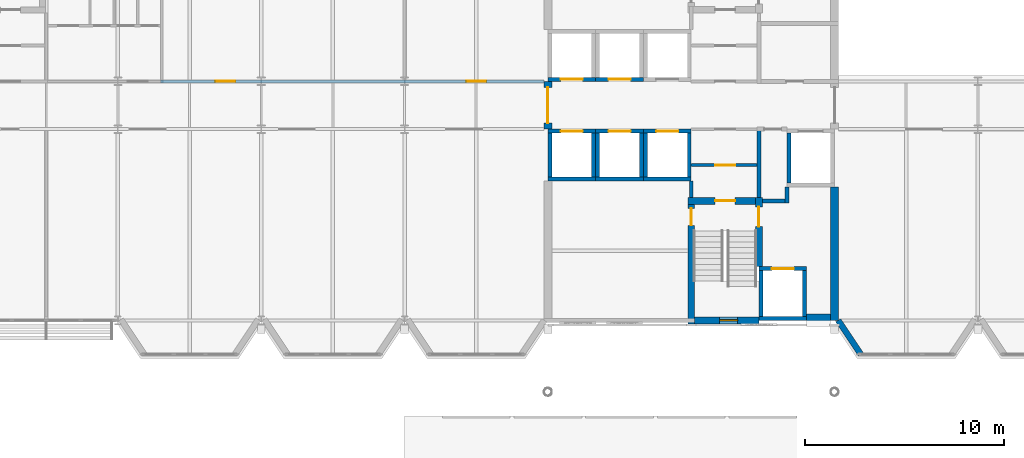
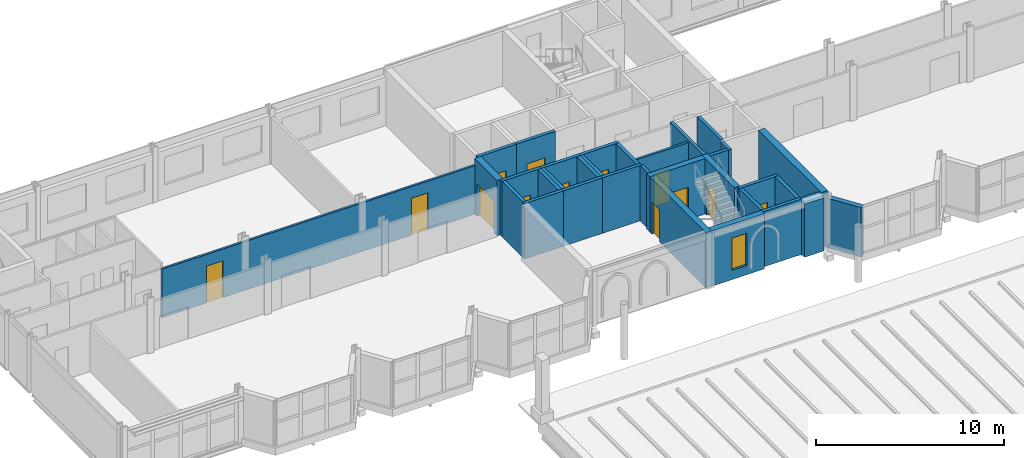
# One storey, part 62 of 120: 33 walls, 13 doors, 1 window, 14 openings.
"""IFC4 building model written with IfcOpenShell, lengths in metres."""

from ifc_helpers import new_model, si_unit, direction, frame, frame_2d, origin, place, context, subcontext, project, spatial, rectangle, extrude, material, layer, layer_set, type_object, element, fill, save


model = new_model("IFC4")

# Units and contexts
model_context = context("Model", 3, precision=1e-05, world=origin(), true_north=direction((0.0, 1.0)))
body_context = subcontext(model_context, "Body", "Model", "MODEL_VIEW")
ifc_project = project(units=[si_unit("LENGTHUNIT", "METRE"), si_unit("AREAUNIT", "SQUARE_METRE"), si_unit("VOLUMEUNIT", "CUBIC_METRE"), si_unit("PLANEANGLEUNIT", "RADIAN"), si_unit("MASSUNIT", "GRAM", prefix="KILO")], contexts=[model_context])

# Site, building, storey
site_placement = place(None, origin())
site = spatial("IfcSite", under=ifc_project, at=site_placement, CompositionType="ELEMENT")
building_placement = place(site_placement, origin())
building = spatial("IfcBuilding", under=site, at=building_placement, Name="Kupolbacken Congress Centre", CompositionType="ELEMENT")
storey_placement = place(building_placement, frame((0.0, 0.0, 21.60009765625)))
storey = spatial("IfcBuildingStorey", under=building, at=storey_placement, Name="L06", CompositionType="ELEMENT", Elevation=21.60009765625)

# Walls
ifc_material_1 = material(Name="Limestone", Category="masonry")
ifc_layer_1 = layer(ifc_material_1, 0.06005859375)
ifc_material_2 = material(Name="Air cavity", Category="air")
ifc_layer_2 = layer(ifc_material_2, 0.0400390625, ventilated=True)
ifc_material_3 = material(Name="Mineral wool", Category="insulation")
ifc_layer_3 = layer(ifc_material_3, 0.14990234375)
ifc_material_4 = material(Name="Steel studs", Category="metal")
ifc_layer_4 = layer(ifc_material_4, 0.050048828125)
ifc_layer_set_1 = layer_set([ifc_layer_1, ifc_layer_2, ifc_layer_3, ifc_layer_4], Name="Limestone / Mineral wool / Steel studs")
wall_type_1 = type_object("IfcWallType", Name="EW01 external cavity wall 300", PredefinedType="SOLIDWALL", material=ifc_layer_set_1)
wall_1_placement = place(storey_placement, frame((108.180419921875, 122.39990234375, 0.0), z_axis=(0.0, 0.0, 1.0), x_axis=(0.554618271946, -0.832104904699, 0.0)))
element("IfcWall", 1, at=wall_1_placement, inside=storey, type_object=wall_type_1, Name="E/T/cumba/L06/S/014/facW", PredefinedType="SOLIDWALL", context=body_context, shape_type="SweptSolid", body=[
    extrude(rectangle(XDim=2.063232421875, YDim=0.300048828125, at=frame_2d((1.03173828125, 0.0))), origin(), (0.0, 0.0, 1.0), 3.219970703125),
])
ifc_material_5 = material(Name="Concrete C40/50", Category="concrete")
ifc_layer_5 = layer(ifc_material_5, 0.35009765625)
ifc_layer_6 = layer(ifc_material_3, 0.1220703125)
ifc_layer_7 = layer(ifc_material_2, 0.0400390625, ventilated=True)
ifc_material_6 = material(Name="Brick", Category="masonry")
ifc_layer_8 = layer(ifc_material_6, 0.10791015625)
ifc_layer_set_2 = layer_set([ifc_layer_5, ifc_layer_6, ifc_layer_7, ifc_layer_8], Name="Concrete C40/50 / Mineral wool / Brick")
wall_type_2 = type_object("IfcWallType", Name="EW10 external cavity wall 620", PredefinedType="SOLIDWALL", material=ifc_layer_set_2)
wall_2_placement = place(storey_placement, frame((106.60009765625, 122.39990234375, 0.0), z_axis=(0.0, 0.0, 1.0), x_axis=(1.0, 0.0, 0.0)))
element("IfcWall", 2, at=wall_2_placement, inside=storey, type_object=wall_type_2, Name="E/T/S/L06/094", PredefinedType="SOLIDWALL", context=body_context, shape_type="SweptSolid", body=[
    extrude(rectangle(XDim=1.199951171875, YDim=0.6201171875, at=frame_2d((0.60009765625, 0.0))), origin(), (0.0, 0.0, 1.0), 3.4599609375),
])

# Wall, openings, doors
ifc_material_7 = material(Name="Gypsum board", Category="drywall")
ifc_layer_9 = layer(ifc_material_7, 0.135009765625)
ifc_layer_set_3 = layer_set([ifc_layer_9], Name="Gypsum board")
wall_type_3 = type_object("IfcWallType", Name="P06 compartment wall 135", PredefinedType="PARTITIONING", material=ifc_layer_set_3)
wall_3_placement = place(storey_placement, frame((74.142578125, 134.39990234375, 0.0), z_axis=(0.0, 0.0, 1.0), x_axis=(1.0, 0.0, 0.0)))
wall_3 = element("IfcWall", 3, at=wall_3_placement, inside=storey, type_object=wall_type_3, Name="T/wall/L06/x/13440/7420", PredefinedType="PARTITIONING", context=body_context, shape_type="SweptSolid", body=[
    extrude(rectangle(XDim=19.25732421875, YDim=0.135009765625, at=frame_2d((9.628662109375, 0.0))), origin(), (0.0, 0.0, 1.0), 3.159912109375),
])
opening_1_placement = place(wall_3_placement, frame((2.757568359375, 0.0, 0.0)))
opening_1 = element("IfcOpeningElement", 4, at=opening_1_placement, cuts=wall_3, Name="Opening D8", PredefinedType="OPENING", context=body_context, shape_type="SweptSolid", body=[
    extrude(rectangle(XDim=1.0, YDim=2.39990234375, at=frame_2d((0.5, 1.199951171875))), frame((0.0, 0.077392578125, 0.0), z_axis=(0.0, -1.0, 0.0), x_axis=(1.0, 0.0, 0.0)), (0.0, 0.0, 1.0), 0.155029296875),
])
opening_2_placement = place(wall_3_placement, frame((15.357421875, 0.0, 0.0)))
opening_2 = element("IfcOpeningElement", 5, at=opening_2_placement, cuts=wall_3, Name="Opening D8", PredefinedType="OPENING", context=body_context, shape_type="SweptSolid", body=[
    extrude(rectangle(XDim=1.0, YDim=2.39990234375, at=frame_2d((0.5, 1.199951171875))), frame((0.0, 0.077392578125, 0.0), z_axis=(0.0, -1.0, 0.0), x_axis=(1.0, 0.0, 0.0)), (0.0, 0.0, 1.0), 0.155029296875),
])
ifc_material_8 = material(Name="Steel fire door leaf", Category="steel")
door_type_1 = type_object("IfcDoorType", Name="D8 fire door 1000x2400", OperationType="SINGLE_SWING_LEFT", PredefinedType="DOOR", material=ifc_material_8)
door_1_placement = place(opening_1_placement, origin())
door_1 = element("IfcDoor", 6, at=door_1_placement, inside=storey, type_object=door_type_1, Name="T/wall/L06/x/13440/7420/D-SEC-S1", OperationType="SINGLE_SWING_RIGHT", OverallHeight=2.39990234375, OverallWidth=1.0, PredefinedType="DOOR", context=body_context, shape_type="SweptSolid", body=[
    extrude(rectangle(XDim=1.0, YDim=2.39990234375, at=frame_2d((0.5, 1.199951171875))), frame((0.0, 0.02490234375, 0.0), z_axis=(0.0, -1.0, 0.0), x_axis=(1.0, 0.0, 0.0)), (0.0, 0.0, 1.0), 0.050048828125),
])
fill(opening_1, door_1)
door_2_placement = place(opening_2_placement, origin())
door_2 = element("IfcDoor", 7, at=door_2_placement, inside=storey, type_object=door_type_1, Name="T/wall/L06/x/13440/7420/D-ORG-S1", OperationType="SINGLE_SWING_RIGHT", OverallHeight=2.39990234375, OverallWidth=1.0, PredefinedType="DOOR", context=body_context, shape_type="SweptSolid", body=[
    extrude(rectangle(XDim=1.0, YDim=2.39990234375, at=frame_2d((0.5, 1.199951171875))), frame((0.0, 0.02490234375, 0.0), z_axis=(0.0, -1.0, 0.0), x_axis=(1.0, 0.0, 0.0)), (0.0, 0.0, 1.0), 0.050048828125),
])
fill(opening_2, door_2)

# Wall, opening, door
ifc_material_9 = material(Name="Aerated concrete block", Category="masonry")
ifc_layer_10 = layer(ifc_material_9, 0.139892578125)
ifc_layer_set_4 = layer_set([ifc_layer_10], Name="Aerated concrete block")
wall_type_4 = type_object("IfcWallType", Name="P14 compartment wall 140", PredefinedType="PARTITIONING", material=ifc_layer_set_4)
wall_4_placement = place(storey_placement, frame((100.800048828125, 130.199951171875, 0.0), z_axis=(0.0, 0.0, 1.0), x_axis=(1.0, 0.0, 0.0)))
wall_4 = element("IfcWall", 8, at=wall_4_placement, inside=storey, type_object=wall_type_4, Name="T/wall/L06/x/13020/10080", PredefinedType="PARTITIONING", context=body_context, shape_type="SweptSolid", body=[
    extrude(rectangle(XDim=3.300048828125, YDim=0.139892578125, at=frame_2d((1.64990234375, 0.0))), origin(), (0.0, 0.0, 1.0), 3.4599609375),
])
opening_3_placement = place(wall_4_placement, frame((1.199951171875, 0.0, 0.0)))
opening_3 = element("IfcOpeningElement", 9, at=opening_3_placement, cuts=wall_4, Name="Opening D5", PredefinedType="OPENING", context=body_context, shape_type="SweptSolid", body=[
    extrude(rectangle(XDim=1.0, YDim=2.10009765625, at=frame_2d((0.5, 1.050048828125))), frame((0.0, 0.079833984375, 0.0), z_axis=(0.0, -1.0, 0.0), x_axis=(1.0, 0.0, 0.0)), (0.0, 0.0, 1.0), 0.159912109375),
])
ifc_material_10 = material(Name="Steel fire door leaf", Category="steel")
door_type_2 = type_object("IfcDoorType", Name="D5 stair door 1000x2100", OperationType="SINGLE_SWING_LEFT", PredefinedType="DOOR", material=ifc_material_10)
door_3_placement = place(opening_3_placement, frame((1.0, 0.0, 0.0), z_axis=(0.0, 0.0, 1.0), x_axis=(-1.0, 0.0, 0.0)))
door_3 = element("IfcDoor", 10, at=door_3_placement, inside=storey, type_object=door_type_2, Name="T/wall/L06/x/13020/10080/D-TS1-LK2", OperationType="SINGLE_SWING_RIGHT", OverallHeight=2.10009765625, OverallWidth=1.0, PredefinedType="DOOR", context=body_context, shape_type="SweptSolid", body=[
    extrude(rectangle(XDim=1.0, YDim=2.10009765625, at=frame_2d((0.5, 1.050048828125))), frame((0.0, 0.02490234375, 0.0), z_axis=(0.0, -1.0, 0.0), x_axis=(1.0, 0.0, 0.0)), (0.0, 0.0, 1.0), 0.050048828125),
])
fill(opening_3, door_3)

# Walls
ifc_material_11 = material(Name="Concrete C40/50", Category="concrete")
ifc_layer_11 = layer(ifc_material_11, 0.199951171875)
ifc_layer_set_5 = layer_set([ifc_layer_11], Name="Concrete C40/50")
wall_type_5 = type_object("IfcWallType", Name="WC1 RC shaft wall 200", PredefinedType="SHEAR", material=ifc_layer_set_5)
wall_5_placement = place(storey_placement, frame((100.800048828125, 128.574951171875, 0.0), z_axis=(0.0, 0.0, 1.0), x_axis=(0.0, 1.0, 0.0)))
element("IfcWall", 11, at=wall_5_placement, inside=storey, type_object=wall_type_5, Name="Shaft wall L06-091", PredefinedType="SHEAR", context=body_context, shape_type="SweptSolid", body=[
    extrude(rectangle(XDim=0.824951171875, YDim=0.199951171875, at=frame_2d((0.41259765625, 0.0))), origin(), (0.0, 0.0, 1.0), 3.599853515625),
])
wall_6_placement = place(storey_placement, frame((104.375, 128.39990234375, 0.0), z_axis=(0.0, 0.0, 1.0), x_axis=(1.0, 0.0, 0.0)))
element("IfcWall", 12, at=wall_6_placement, inside=storey, type_object=wall_type_5, Name="Shaft wall L06-093", PredefinedType="SHEAR", context=body_context, shape_type="SweptSolid", body=[
    extrude(rectangle(XDim=1.324951171875, YDim=0.199951171875, at=frame_2d((0.66259765625, 0.0))), origin(), (0.0, 0.0, 1.0), 3.599853515625),
])
wall_7_placement = place(storey_placement, frame((105.60009765625, 128.300048828125, 0.0), z_axis=(0.0, 0.0, 1.0), x_axis=(0.0, 1.0, 0.0)))
element("IfcWall", 13, at=wall_7_placement, inside=storey, type_object=wall_type_5, Name="Shaft wall L06-094", PredefinedType="SHEAR", context=body_context, shape_type="SweptSolid", body=[
    extrude(rectangle(XDim=0.800048828125, YDim=0.199951171875, at=frame_2d((0.39990234375, 0.0))), origin(), (0.0, 0.0, 1.0), 3.599853515625),
])
wall_8_placement = place(storey_placement, frame((104.199951171875, 132.10009765625, 0.0), z_axis=(0.0, 0.0, 1.0), x_axis=(0.0, -1.0, 0.0)))
element("IfcWall", 14, at=wall_8_placement, inside=storey, type_object=wall_type_5, Name="Shaft wall L06-109", PredefinedType="SHEAR", context=body_context, shape_type="SweptSolid", body=[
    extrude(rectangle(XDim=3.525146484375, YDim=0.199951171875, at=frame_2d((1.7626953125, 0.0))), origin(), (0.0, 0.0, 1.0), 3.599853515625),
])
wall_9_placement = place(storey_placement, frame((93.60009765625, 129.5, 0.0), z_axis=(0.0, 0.0, 1.0), x_axis=(1.0, 0.0, 0.0)))
element("IfcWall", 15, at=wall_9_placement, inside=storey, type_object=wall_type_5, Name="Shaft wall LP9", PredefinedType="SHEAR", context=body_context, shape_type="SweptSolid", body=[
    extrude(rectangle(XDim=2.39990234375, YDim=0.199951171875, at=frame_2d((1.199951171875, 0.0))), origin(), (0.0, 0.0, 1.0), 3.599853515625),
])

# Wall, opening, door
wall_10_placement = place(storey_placement, frame((93.60009765625, 131.89990234375, 0.0), z_axis=(0.0, 0.0, 1.0), x_axis=(1.0, 0.0, 0.0)))
wall_10 = element("IfcWall", 16, at=wall_10_placement, inside=storey, type_object=wall_type_5, Name="Shaft wall LP9", PredefinedType="SHEAR", context=body_context, shape_type="SweptSolid", body=[
    extrude(rectangle(XDim=2.39990234375, YDim=0.199951171875, at=frame_2d((1.199951171875, 0.0))), origin(), (0.0, 0.0, 1.0), 3.599853515625),
])
opening_4_placement = place(wall_10_placement, frame((0.64990234375, 0.0, 0.0)))
opening_4 = element("IfcOpeningElement", 17, at=opening_4_placement, cuts=wall_10, Name="Opening LD2", PredefinedType="OPENING", context=body_context, shape_type="SweptSolid", body=[
    extrude(rectangle(XDim=1.10009765625, YDim=2.10009765625, at=frame_2d((0.550048828125, 1.050048828125))), frame((0.0, 0.10986328125, 0.0), z_axis=(0.0, -1.0, 0.0), x_axis=(1.0, 0.0, 0.0)), (0.0, 0.0, 1.0), 0.219970703125),
])
ifc_material_12 = material(Name="Stainless steel door leaf", Category="steel")
door_type_3 = type_object("IfcDoorType", Name="LD2 lift landing door 1100x2100", OperationType="SLIDING_TO_LEFT", PredefinedType="DOOR", material=ifc_material_12)
door_4_placement = place(opening_4_placement, origin())
door_4 = element("IfcDoor", 18, at=door_4_placement, inside=storey, type_object=door_type_3, Name="Lift landing door LP9", OperationType="SLIDING_TO_LEFT", OverallHeight=2.10009765625, OverallWidth=1.10009765625, PredefinedType="DOOR", context=body_context, shape_type="SweptSolid", body=[
    extrude(rectangle(XDim=1.10009765625, YDim=2.10009765625, at=frame_2d((0.550048828125, 1.050048828125))), frame((0.0, 0.02490234375, 0.0), z_axis=(0.0, -1.0, 0.0), x_axis=(1.0, 0.0, 0.0)), (0.0, 0.0, 1.0), 0.050048828125),
])
fill(opening_4, door_4)

# Walls
for number, where, z_axis, x_axis, name in (
    (19, (93.699951171875, 129.60009765625, 0.0), (0.0, 0.0, 1.0), (0.0, 1.0, 0.0), "Shaft wall LP9"),
    (20, (95.89990234375, 129.60009765625, 0.0), (0.0, 0.0, 1.0), (0.0, 1.0, 0.0), "Shaft wall LP9"),
):
    element("IfcWall", number, at=place(storey_placement, frame(where, z_axis=z_axis, x_axis=x_axis)), inside=storey, type_object=wall_type_5, Name=name, PredefinedType="SHEAR", context=body_context, shape_type="SweptSolid", body=[
        extrude(rectangle(XDim=2.199951171875, YDim=0.199951171875, at=frame_2d((1.10009765625, 0.0))), origin(), (0.0, 0.0, 1.0), 3.599853515625),
    ])
wall_11_placement = place(storey_placement, frame((96.0, 129.5, 0.0), z_axis=(0.0, 0.0, 1.0), x_axis=(1.0, 0.0, 0.0)))
element("IfcWall", 21, at=wall_11_placement, inside=storey, type_object=wall_type_5, Name="Shaft wall LP10", PredefinedType="SHEAR", context=body_context, shape_type="SweptSolid", body=[
    extrude(rectangle(XDim=2.39990234375, YDim=0.199951171875, at=frame_2d((1.199951171875, 0.0))), origin(), (0.0, 0.0, 1.0), 3.599853515625),
])

# Wall, opening, door
wall_12_placement = place(storey_placement, frame((96.0, 131.89990234375, 0.0), z_axis=(0.0, 0.0, 1.0), x_axis=(1.0, 0.0, 0.0)))
wall_12 = element("IfcWall", 22, at=wall_12_placement, inside=storey, type_object=wall_type_5, Name="Shaft wall LP10", PredefinedType="SHEAR", context=body_context, shape_type="SweptSolid", body=[
    extrude(rectangle(XDim=2.39990234375, YDim=0.199951171875, at=frame_2d((1.199951171875, 0.0))), origin(), (0.0, 0.0, 1.0), 3.599853515625),
])
opening_5_placement = place(wall_12_placement, frame((0.64990234375, 0.0, 0.0)))
opening_5 = element("IfcOpeningElement", 23, at=opening_5_placement, cuts=wall_12, Name="Opening LD2", PredefinedType="OPENING", context=body_context, shape_type="SweptSolid", body=[
    extrude(rectangle(XDim=1.10009765625, YDim=2.10009765625, at=frame_2d((0.550048828125, 1.050048828125))), frame((0.0, 0.10986328125, 0.0), z_axis=(0.0, -1.0, 0.0), x_axis=(1.0, 0.0, 0.0)), (0.0, 0.0, 1.0), 0.219970703125),
])
door_5_placement = place(opening_5_placement, origin())
door_5 = element("IfcDoor", 24, at=door_5_placement, inside=storey, type_object=door_type_3, Name="Lift landing door LP10", OperationType="SLIDING_TO_LEFT", OverallHeight=2.10009765625, OverallWidth=1.10009765625, PredefinedType="DOOR", context=body_context, shape_type="SweptSolid", body=[
    extrude(rectangle(XDim=1.10009765625, YDim=2.10009765625, at=frame_2d((0.550048828125, 1.050048828125))), frame((0.0, 0.02490234375, 0.0), z_axis=(0.0, -1.0, 0.0), x_axis=(1.0, 0.0, 0.0)), (0.0, 0.0, 1.0), 0.050048828125),
])
fill(opening_5, door_5)

# Walls
for number, where, z_axis, x_axis, name in (
    (25, (96.10009765625, 129.60009765625, 0.0), (0.0, 0.0, 1.0), (0.0, 1.0, 0.0), "Shaft wall LP10"),
    (26, (98.300048828125, 129.60009765625, 0.0), (0.0, 0.0, 1.0), (0.0, 1.0, 0.0), "Shaft wall LP10"),
):
    element("IfcWall", number, at=place(storey_placement, frame(where, z_axis=z_axis, x_axis=x_axis)), inside=storey, type_object=wall_type_5, Name=name, PredefinedType="SHEAR", context=body_context, shape_type="SweptSolid", body=[
        extrude(rectangle(XDim=2.199951171875, YDim=0.199951171875, at=frame_2d((1.10009765625, 0.0))), origin(), (0.0, 0.0, 1.0), 3.599853515625),
    ])
wall_13_placement = place(storey_placement, frame((98.39990234375, 129.5, 0.0), z_axis=(0.0, 0.0, 1.0), x_axis=(1.0, 0.0, 0.0)))
element("IfcWall", 27, at=wall_13_placement, inside=storey, type_object=wall_type_5, Name="Shaft wall LP11", PredefinedType="SHEAR", context=body_context, shape_type="SweptSolid", body=[
    extrude(rectangle(XDim=2.400146484375, YDim=0.199951171875, at=frame_2d((1.2001953125, 0.0))), origin(), (0.0, 0.0, 1.0), 3.599853515625),
])

# Wall, opening, door
wall_14_placement = place(storey_placement, frame((98.39990234375, 131.89990234375, 0.0), z_axis=(0.0, 0.0, 1.0), x_axis=(1.0, 0.0, 0.0)))
wall_14 = element("IfcWall", 28, at=wall_14_placement, inside=storey, type_object=wall_type_5, Name="Shaft wall LP11", PredefinedType="SHEAR", context=body_context, shape_type="SweptSolid", body=[
    extrude(rectangle(XDim=2.400146484375, YDim=0.199951171875, at=frame_2d((1.2001953125, 0.0))), origin(), (0.0, 0.0, 1.0), 3.599853515625),
])
opening_6_placement = place(wall_14_placement, frame((0.64990234375, 0.0, 0.0)))
opening_6 = element("IfcOpeningElement", 29, at=opening_6_placement, cuts=wall_14, Name="Opening LD2", PredefinedType="OPENING", context=body_context, shape_type="SweptSolid", body=[
    extrude(rectangle(XDim=1.10009765625, YDim=2.10009765625, at=frame_2d((0.550048828125, 1.050048828125))), frame((0.0, 0.10986328125, 0.0), z_axis=(0.0, -1.0, 0.0), x_axis=(1.0, 0.0, 0.0)), (0.0, 0.0, 1.0), 0.219970703125),
])
door_6_placement = place(opening_6_placement, origin())
door_6 = element("IfcDoor", 30, at=door_6_placement, inside=storey, type_object=door_type_3, Name="Lift landing door LP11", OperationType="SLIDING_TO_LEFT", OverallHeight=2.10009765625, OverallWidth=1.10009765625, PredefinedType="DOOR", context=body_context, shape_type="SweptSolid", body=[
    extrude(rectangle(XDim=1.10009765625, YDim=2.10009765625, at=frame_2d((0.550048828125, 1.050048828125))), frame((0.0, 0.02490234375, 0.0), z_axis=(0.0, -1.0, 0.0), x_axis=(1.0, 0.0, 0.0)), (0.0, 0.0, 1.0), 0.050048828125),
])
fill(opening_6, door_6)

# Walls
for number, where, z_axis, x_axis, name in (
    (31, (98.5, 129.60009765625, 0.0), (0.0, 0.0, 1.0), (0.0, 1.0, 0.0), "Shaft wall LP11"),
    (32, (100.699951171875, 129.60009765625, 0.0), (0.0, 0.0, 1.0), (0.0, 1.0, 0.0), "Shaft wall LP11"),
):
    element("IfcWall", number, at=place(storey_placement, frame(where, z_axis=z_axis, x_axis=x_axis)), inside=storey, type_object=wall_type_5, Name=name, PredefinedType="SHEAR", context=body_context, shape_type="SweptSolid", body=[
        extrude(rectangle(XDim=2.199951171875, YDim=0.199951171875, at=frame_2d((1.10009765625, 0.0))), origin(), (0.0, 0.0, 1.0), 3.599853515625),
    ])

# Wall, opening, door
wall_15_placement = place(storey_placement, frame((93.60009765625, 134.5, 0.0), z_axis=(0.0, 0.0, 1.0), x_axis=(1.0, 0.0, 0.0)))
wall_15 = element("IfcWall", 33, at=wall_15_placement, inside=storey, type_object=wall_type_5, Name="Shaft wall LP12", PredefinedType="SHEAR", context=body_context, shape_type="SweptSolid", body=[
    extrude(rectangle(XDim=2.39990234375, YDim=0.199951171875, at=frame_2d((1.199951171875, 0.0))), origin(), (0.0, 0.0, 1.0), 3.599853515625),
])
opening_7_placement = place(wall_15_placement, frame((0.64990234375, 0.0, 0.0)))
opening_7 = element("IfcOpeningElement", 34, at=opening_7_placement, cuts=wall_15, Name="Opening LD2", PredefinedType="OPENING", context=body_context, shape_type="SweptSolid", body=[
    extrude(rectangle(XDim=1.10009765625, YDim=2.10009765625, at=frame_2d((0.550048828125, 1.050048828125))), frame((0.0, 0.10986328125, 0.0), z_axis=(0.0, -1.0, 0.0), x_axis=(1.0, 0.0, 0.0)), (0.0, 0.0, 1.0), 0.219970703125),
])
door_7_placement = place(opening_7_placement, origin())
door_7 = element("IfcDoor", 35, at=door_7_placement, inside=storey, type_object=door_type_3, Name="Lift landing door LP12", OperationType="SLIDING_TO_LEFT", OverallHeight=2.10009765625, OverallWidth=1.10009765625, PredefinedType="DOOR", context=body_context, shape_type="SweptSolid", body=[
    extrude(rectangle(XDim=1.10009765625, YDim=2.10009765625, at=frame_2d((0.550048828125, 1.050048828125))), frame((0.0, 0.02490234375, 0.0), z_axis=(0.0, -1.0, 0.0), x_axis=(1.0, 0.0, 0.0)), (0.0, 0.0, 1.0), 0.050048828125),
])
fill(opening_7, door_7)

wall_16_placement = place(storey_placement, frame((96.0, 134.5, 0.0), z_axis=(0.0, 0.0, 1.0), x_axis=(1.0, 0.0, 0.0)))
wall_16 = element("IfcWall", 36, at=wall_16_placement, inside=storey, type_object=wall_type_5, Name="Shaft wall LP13", PredefinedType="SHEAR", context=body_context, shape_type="SweptSolid", body=[
    extrude(rectangle(XDim=2.39990234375, YDim=0.199951171875, at=frame_2d((1.199951171875, 0.0))), origin(), (0.0, 0.0, 1.0), 3.599853515625),
])
opening_8_placement = place(wall_16_placement, frame((0.64990234375, 0.0, 0.0)))
opening_8 = element("IfcOpeningElement", 37, at=opening_8_placement, cuts=wall_16, Name="Opening LD2", PredefinedType="OPENING", context=body_context, shape_type="SweptSolid", body=[
    extrude(rectangle(XDim=1.10009765625, YDim=2.10009765625, at=frame_2d((0.550048828125, 1.050048828125))), frame((0.0, 0.10986328125, 0.0), z_axis=(0.0, -1.0, 0.0), x_axis=(1.0, 0.0, 0.0)), (0.0, 0.0, 1.0), 0.219970703125),
])
door_8_placement = place(opening_8_placement, origin())
door_8 = element("IfcDoor", 38, at=door_8_placement, inside=storey, type_object=door_type_3, Name="Lift landing door LP13", OperationType="SLIDING_TO_LEFT", OverallHeight=2.10009765625, OverallWidth=1.10009765625, PredefinedType="DOOR", context=body_context, shape_type="SweptSolid", body=[
    extrude(rectangle(XDim=1.10009765625, YDim=2.10009765625, at=frame_2d((0.550048828125, 1.050048828125))), frame((0.0, 0.02490234375, 0.0), z_axis=(0.0, -1.0, 0.0), x_axis=(1.0, 0.0, 0.0)), (0.0, 0.0, 1.0), 0.050048828125),
])
fill(opening_8, door_8)

# Wall
wall_17_placement = place(storey_placement, frame((104.199951171875, 122.5, 0.0), z_axis=(0.0, 0.0, 1.0), x_axis=(1.0, 0.0, 0.0)))
element("IfcWall", 39, at=wall_17_placement, inside=storey, type_object=wall_type_5, Name="Shaft wall LF1", PredefinedType="SHEAR", context=body_context, shape_type="SweptSolid", body=[
    extrude(rectangle(XDim=2.400146484375, YDim=0.199951171875, at=frame_2d((1.2001953125, 0.0))), origin(), (0.0, 0.0, 1.0), 3.599853515625),
])

# Wall, opening, door
wall_18_placement = place(storey_placement, frame((104.199951171875, 125.0, 0.0), z_axis=(0.0, 0.0, 1.0), x_axis=(1.0, 0.0, 0.0)))
wall_18 = element("IfcWall", 40, at=wall_18_placement, inside=storey, type_object=wall_type_5, Name="Shaft wall LF1", PredefinedType="SHEAR", context=body_context, shape_type="SweptSolid", body=[
    extrude(rectangle(XDim=2.400146484375, YDim=0.199951171875, at=frame_2d((1.2001953125, 0.0))), origin(), (0.0, 0.0, 1.0), 3.599853515625),
])
opening_9_placement = place(wall_18_placement, frame((0.64990234375, 0.0, 0.0)))
opening_9 = element("IfcOpeningElement", 41, at=opening_9_placement, cuts=wall_18, Name="Opening LD2", PredefinedType="OPENING", context=body_context, shape_type="SweptSolid", body=[
    extrude(rectangle(XDim=1.10009765625, YDim=2.10009765625, at=frame_2d((0.550048828125, 1.050048828125))), frame((0.0, 0.10986328125, 0.0), z_axis=(0.0, -1.0, 0.0), x_axis=(1.0, 0.0, 0.0)), (0.0, 0.0, 1.0), 0.219970703125),
])
door_9_placement = place(opening_9_placement, origin())
door_9 = element("IfcDoor", 42, at=door_9_placement, inside=storey, type_object=door_type_3, Name="Lift landing door LF1", OperationType="SLIDING_TO_LEFT", OverallHeight=2.10009765625, OverallWidth=1.10009765625, PredefinedType="DOOR", context=body_context, shape_type="SweptSolid", body=[
    extrude(rectangle(XDim=1.10009765625, YDim=2.10009765625, at=frame_2d((0.550048828125, 1.050048828125))), frame((0.0, 0.02490234375, 0.0), z_axis=(0.0, -1.0, 0.0), x_axis=(1.0, 0.0, 0.0)), (0.0, 0.0, 1.0), 0.050048828125),
])
fill(opening_9, door_9)

# Walls
for number, where, z_axis, x_axis, name in (
    (43, (104.300048828125, 122.60009765625, 0.0), (0.0, 0.0, 1.0), (0.0, 1.0, 0.0), "Shaft wall LF1"),
    (44, (106.5, 122.60009765625, 0.0), (0.0, 0.0, 1.0), (0.0, 1.0, 0.0), "Shaft wall LF1"),
):
    element("IfcWall", number, at=place(storey_placement, frame(where, z_axis=z_axis, x_axis=x_axis)), inside=storey, type_object=wall_type_5, Name=name, PredefinedType="SHEAR", context=body_context, shape_type="SweptSolid", body=[
        extrude(rectangle(XDim=2.2998046875, YDim=0.199951171875, at=frame_2d((1.14990234375, 0.0))), origin(), (0.0, 0.0, 1.0), 3.599853515625),
    ])
wall_19_placement = place(storey_placement, frame((105.699951171875, 129.300048828125, 0.0), z_axis=(0.0, 0.0, 1.0), x_axis=(0.0, 1.0, 0.0)))
element("IfcWall", 45, at=wall_19_placement, inside=storey, type_object=wall_type_5, Name="Shaft wall LV1", PredefinedType="SHEAR", context=body_context, shape_type="SweptSolid", body=[
    extrude(rectangle(XDim=2.5, YDim=0.199951171875, at=frame_2d((1.25, 0.0))), origin(), (0.0, 0.0, 1.0), 3.599853515625),
])

# Wall, opening, window
ifc_material_13 = material(Name="Concrete C40/50", Category="concrete")
ifc_layer_12 = layer(ifc_material_13, 0.35009765625)
ifc_layer_set_6 = layer_set([ifc_layer_12], Name="Concrete C40/50")
wall_type_6 = type_object("IfcWallType", Name="WC4 RC core wall 350", PredefinedType="SHEAR", material=ifc_layer_set_6)
wall_20_placement = place(storey_placement, frame((100.97509765625, 122.39990234375, 0.0), z_axis=(0.0, 0.0, 1.0), x_axis=(1.0, 0.0, 0.0)))
wall_20 = element("IfcWall", 46, at=wall_20_placement, inside=storey, type_object=wall_type_6, Name="Core wall L06-079", PredefinedType="SHEAR", context=body_context, shape_type="SweptSolid", body=[
    extrude(rectangle(XDim=3.224853515625, YDim=0.35009765625, at=frame_2d((1.6123046875, 0.0))), origin(), (0.0, 0.0, 1.0), 3.599853515625),
])
opening_10_placement = place(wall_20_placement, frame((1.25, 0.0, 0.60009765625)))
opening_10 = element("IfcOpeningElement", 47, at=opening_10_placement, cuts=wall_20, Name="Opening W28", PredefinedType="OPENING", context=body_context, shape_type="SweptSolid", body=[
    extrude(rectangle(XDim=0.89990234375, YDim=2.10009765625, at=frame_2d((0.449951171875, 1.050048828125))), frame((0.0, 0.18505859375, 0.0), z_axis=(0.0, -1.0, 0.0), x_axis=(1.0, 0.0, 0.0)), (0.0, 0.0, 1.0), 0.3701171875),
])
ifc_material_14 = material(Name="Aluminium frame with double or triple glazing", Category="aluminium")
window_type = type_object("IfcWindowType", Name="W28 window 900x2100", PartitioningType="SINGLE_PANEL", PredefinedType="WINDOW", material=ifc_material_14)
window_placement = place(opening_10_placement, origin())
window = element("IfcWindow", 48, at=window_placement, inside=storey, type_object=window_type, Name="S/core/L06/079/WW28", OverallHeight=2.10009765625, OverallWidth=0.89990234375, PartitioningType="SINGLE_PANEL", PredefinedType="WINDOW", context=body_context, shape_type="SweptSolid", body=[
    extrude(rectangle(XDim=0.89990234375, YDim=2.10009765625, at=frame_2d((0.449951171875, 1.050048828125))), frame((0.0, 0.030029296875, 0.0), z_axis=(0.0, -1.0, 0.0), x_axis=(1.0, 0.0, 0.0)), (0.0, 0.0, 1.0), 0.06005859375),
])
fill(opening_10, window)

# Wall, opening, door
wall_21_placement = place(storey_placement, frame((104.199951171875, 125.10009765625, 0.0), z_axis=(0.0, 0.0, 1.0), x_axis=(0.0, 1.0, 0.0)))
wall_21 = element("IfcWall", 49, at=wall_21_placement, inside=storey, type_object=wall_type_6, Name="Core wall L06-081", PredefinedType="SHEAR", context=body_context, shape_type="SweptSolid", body=[
    extrude(rectangle(XDim=3.474853515625, YDim=0.35009765625, at=frame_2d((1.7373046875, 0.0))), origin(), (0.0, 0.0, 1.0), 3.599853515625),
])
opening_11_placement = place(wall_21_placement, frame((2.0, 0.0, 0.0)))
opening_11 = element("IfcOpeningElement", 50, at=opening_11_placement, cuts=wall_21, Name="Opening D5", PredefinedType="OPENING", context=body_context, shape_type="SweptSolid", body=[
    extrude(rectangle(XDim=1.0, YDim=2.10009765625, at=frame_2d((0.5, 1.050048828125))), frame((0.0, 0.18505859375, 0.0), z_axis=(0.0, -1.0, 0.0), x_axis=(1.0, 0.0, 0.0)), (0.0, 0.0, 1.0), 0.3701171875),
])
door_10_placement = place(opening_11_placement, origin())
door_10 = element("IfcDoor", 51, at=door_10_placement, inside=storey, type_object=door_type_2, Name="S/core/L06/081/D-TFL1-A", OperationType="SINGLE_SWING_LEFT", OverallHeight=2.10009765625, OverallWidth=1.0, PredefinedType="DOOR", context=body_context, shape_type="SweptSolid", body=[
    extrude(rectangle(XDim=1.0, YDim=2.10009765625, at=frame_2d((0.5, 1.050048828125))), frame((0.0, 0.02490234375, 0.0), z_axis=(0.0, -1.0, 0.0), x_axis=(1.0, 0.0, 0.0)), (0.0, 0.0, 1.0), 0.050048828125),
])
fill(opening_11, door_10)

wall_22_placement = place(storey_placement, frame((100.800048828125, 128.574951171875, 0.0), z_axis=(0.0, 0.0, 1.0), x_axis=(0.0, -1.0, 0.0)))
wall_22 = element("IfcWall", 52, at=wall_22_placement, inside=storey, type_object=wall_type_6, Name="Core wall L06-090", PredefinedType="SHEAR", context=body_context, shape_type="SweptSolid", body=[
    extrude(rectangle(XDim=6.349853515625, YDim=0.35009765625, at=frame_2d((3.1748046875, 0.0))), origin(), (0.0, 0.0, 1.0), 3.599853515625),
])
opening_12_placement = place(wall_22_placement, frame((0.550048828125, 0.0, 0.0)))
opening_12 = element("IfcOpeningElement", 53, at=opening_12_placement, cuts=wall_22, Name="Opening D3", PredefinedType="OPENING", context=body_context, shape_type="SweptSolid", body=[
    extrude(rectangle(XDim=0.85009765625, YDim=2.10009765625, at=frame_2d((0.425048828125, 1.050048828125))), frame((0.0, 0.18505859375, 0.0), z_axis=(0.0, -1.0, 0.0), x_axis=(1.0, 0.0, 0.0)), (0.0, 0.0, 1.0), 0.3701171875),
])
ifc_material_15 = material(Name="Steel fire door leaf", Category="steel")
door_type_4 = type_object("IfcDoorType", Name="D3 fire door 850x2100", OperationType="SINGLE_SWING_LEFT", PredefinedType="DOOR", material=ifc_material_15)
door_11_placement = place(opening_12_placement, origin())
door_11 = element("IfcDoor", 54, at=door_11_placement, inside=storey, type_object=door_type_4, Name="S/core/L06/090/D-TR1-A", OperationType="SINGLE_SWING_RIGHT", OverallHeight=2.10009765625, OverallWidth=0.85009765625, PredefinedType="DOOR", context=body_context, shape_type="SweptSolid", body=[
    extrude(rectangle(XDim=0.85009765625, YDim=2.10009765625, at=frame_2d((0.425048828125, 1.050048828125))), frame((0.0, 0.02490234375, 0.0), z_axis=(0.0, -1.0, 0.0), x_axis=(1.0, 0.0, 0.0)), (0.0, 0.0, 1.0), 0.050048828125),
])
fill(opening_12, door_11)

wall_23_placement = place(storey_placement, frame((104.375, 128.39990234375, 0.0), z_axis=(0.0, 0.0, 1.0), x_axis=(-1.0, 0.0, 0.0)))
wall_23 = element("IfcWall", 55, at=wall_23_placement, inside=storey, type_object=wall_type_6, Name="Core wall L06-092", PredefinedType="SHEAR", context=body_context, shape_type="SweptSolid", body=[
    extrude(rectangle(XDim=3.75, YDim=0.35009765625, at=frame_2d((1.875, 0.0))), origin(), (0.0, 0.0, 1.0), 3.599853515625),
])
opening_13_placement = place(wall_23_placement, frame((1.375, 0.0, 0.0)))
opening_13 = element("IfcOpeningElement", 56, at=opening_13_placement, cuts=wall_23, Name="Opening D5", PredefinedType="OPENING", context=body_context, shape_type="SweptSolid", body=[
    extrude(rectangle(XDim=1.0, YDim=2.10009765625, at=frame_2d((0.5, 1.050048828125))), frame((0.0, 0.18505859375, 0.0), z_axis=(0.0, -1.0, 0.0), x_axis=(1.0, 0.0, 0.0)), (0.0, 0.0, 1.0), 0.3701171875),
])
door_12_placement = place(opening_13_placement, origin())
door_12 = element("IfcDoor", 57, at=door_12_placement, inside=storey, type_object=door_type_2, Name="S/core/L06/092/D-TS1-LK1", OperationType="SINGLE_SWING_RIGHT", OverallHeight=2.10009765625, OverallWidth=1.0, PredefinedType="DOOR", context=body_context, shape_type="SweptSolid", body=[
    extrude(rectangle(XDim=1.0, YDim=2.10009765625, at=frame_2d((0.5, 1.050048828125))), frame((0.0, 0.02490234375, 0.0), z_axis=(0.0, -1.0, 0.0), x_axis=(1.0, 0.0, 0.0)), (0.0, 0.0, 1.0), 0.050048828125),
])
fill(opening_13, door_12)

# Wall
ifc_material_16 = material(Name="Concrete C40/50", Category="concrete")
ifc_layer_13 = layer(ifc_material_16, 0.39990234375)
ifc_layer_set_7 = layer_set([ifc_layer_13], Name="Concrete C40/50")
wall_type_7 = type_object("IfcWallType", Name="WC5 RC core wall 400", PredefinedType="SHEAR", material=ifc_layer_set_7)
wall_24_placement = place(storey_placement, frame((108.0, 122.39990234375, 0.0), z_axis=(0.0, 0.0, 1.0), x_axis=(0.0, 1.0, 0.0)))
element("IfcWall", 58, at=wall_24_placement, inside=storey, type_object=wall_type_7, Name="Core wall L06-080", PredefinedType="SHEAR", context=body_context, shape_type="SweptSolid", body=[
    extrude(rectangle(XDim=6.7001953125, YDim=0.39990234375, at=frame_2d((3.35009765625, 0.0))), origin(), (0.0, 0.0, 1.0), 3.599853515625),
])

# Wall, opening, door
wall_25_placement = place(storey_placement, frame((93.60009765625, 132.0, 0.0), z_axis=(0.0, 0.0, 1.0), x_axis=(0.0, 1.0, 0.0)))
wall_25 = element("IfcWall", 59, at=wall_25_placement, inside=storey, type_object=wall_type_7, Name="Core wall L06-108", PredefinedType="SHEAR", context=body_context, shape_type="SweptSolid", body=[
    extrude(rectangle(XDim=2.39990234375, YDim=0.39990234375, at=frame_2d((1.199951171875, 0.0))), origin(), (0.0, 0.0, 1.0), 3.599853515625),
])
opening_14_placement = place(wall_25_placement, frame((0.300048828125, 0.0, 0.0)))
opening_14 = element("IfcOpeningElement", 60, at=opening_14_placement, cuts=wall_25, Name="Opening D14", PredefinedType="OPENING", context=body_context, shape_type="SweptSolid", body=[
    extrude(rectangle(XDim=1.800048828125, YDim=2.10009765625, at=frame_2d((0.89990234375, 1.050048828125))), frame((0.0, 0.2099609375, 0.0), z_axis=(0.0, -1.0, 0.0), x_axis=(1.0, 0.0, 0.0)), (0.0, 0.0, 1.0), 0.419921875),
])
ifc_material_17 = material(Name="Steel fire door leaf", Category="steel")
door_type_5 = type_object("IfcDoorType", Name="D14 fire door 1800x2100", OperationType="DOUBLE_DOOR_SINGLE_SWING", PredefinedType="DOOR", material=ifc_material_17)
door_13_placement = place(opening_14_placement, origin())
door_13 = element("IfcDoor", 61, at=door_13_placement, inside=storey, type_object=door_type_5, Name="S/core/L06/108/D-CX-W", OperationType="DOUBLE_DOOR_SINGLE_SWING", OverallHeight=2.10009765625, OverallWidth=1.800048828125, PredefinedType="DOOR", context=body_context, shape_type="SweptSolid", body=[
    extrude(rectangle(XDim=1.800048828125, YDim=2.10009765625, at=frame_2d((0.89990234375, 1.050048828125))), frame((0.0, 0.02490234375, 0.0), z_axis=(0.0, -1.0, 0.0), x_axis=(1.0, 0.0, 0.0)), (0.0, 0.0, 1.0), 0.050048828125),
])
fill(opening_14, door_13)

save(model, "model.ifc")
